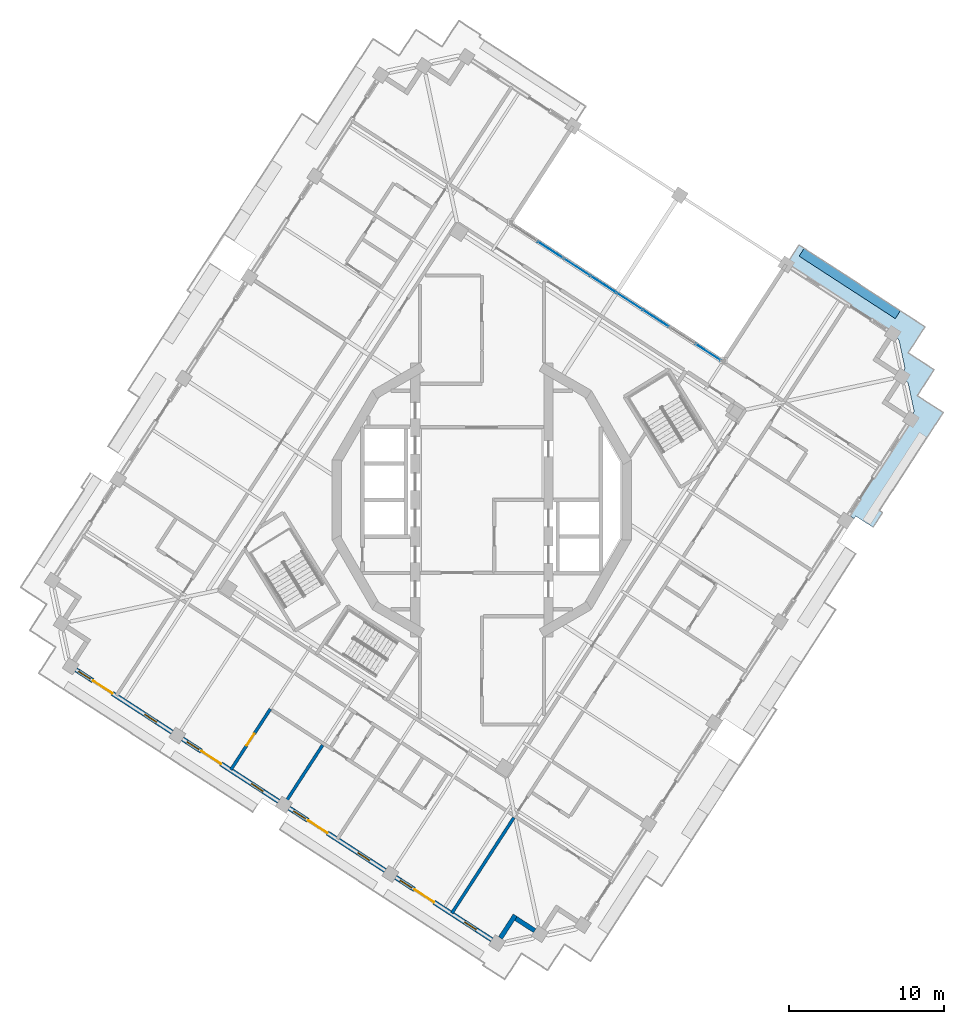
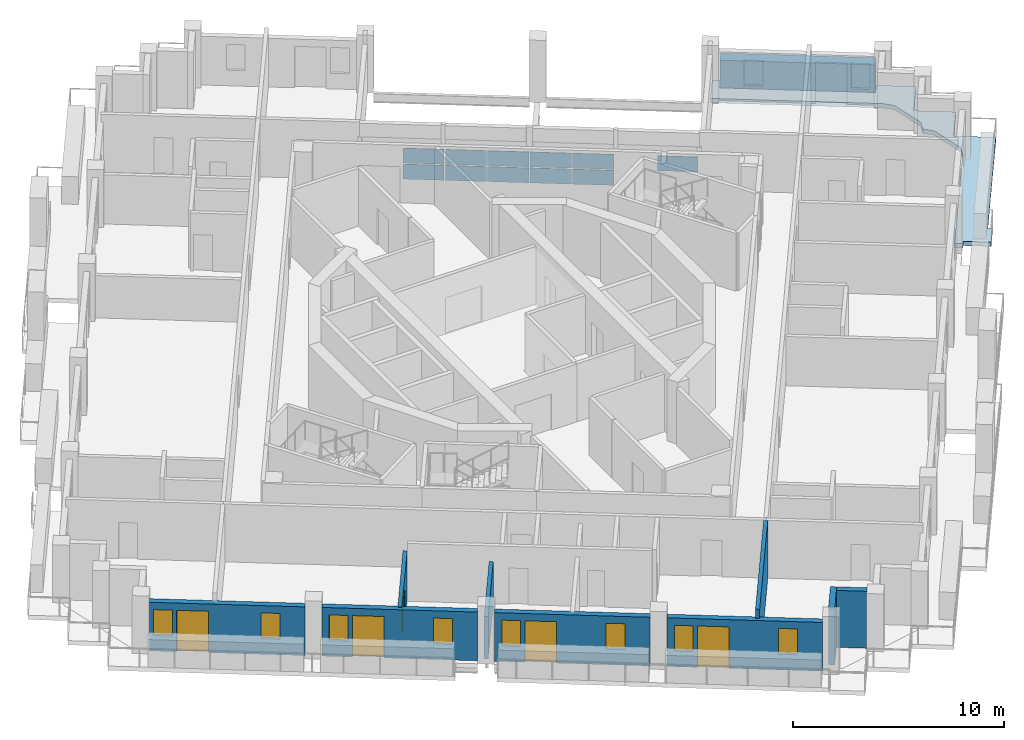
# One storey, part 5 of 17: 12 plates, 9 walls, 8 windows, 5 doors, 1 slab, 13 openings, 1 element without a shape of its own.
"""IFC4 building model written with IfcOpenShell, lengths in metres."""

from ifc_helpers import new_model, si_unit, direction, frame, frame_2d, origin, origin_2d, place, context, subcontext, project, spatial, polyline, rectangle, outline, extrude, material, layer, layer_set, type_object, element, fill, aggregate, save


model = new_model("IFC4")

# Units and contexts
model_context = context("Model", 3, precision=1e-05, world=origin(), true_north=direction((0.0, 1.0)))
body_context = subcontext(model_context, "Body", "Model", "MODEL_VIEW")
ifc_project = project(units=[si_unit("LENGTHUNIT", "METRE"), si_unit("AREAUNIT", "SQUARE_METRE"), si_unit("VOLUMEUNIT", "CUBIC_METRE"), si_unit("PLANEANGLEUNIT", "RADIAN"), si_unit("MASSUNIT", "GRAM", prefix="KILO")], contexts=[model_context])

# Site, building, storey
site_placement = place(None, origin())
site = spatial("IfcSite", under=ifc_project, at=site_placement, CompositionType="ELEMENT")
building_placement = place(site_placement, origin())
building = spatial("IfcBuilding", under=site, at=building_placement, Name="Cantera Rosa Tower", CompositionType="ELEMENT")
storey_placement = place(building_placement, frame((0.0, 0.0, 279.300048828125)))
storey = spatial("IfcBuildingStorey", under=building, at=storey_placement, Name="L63", CompositionType="ELEMENT", Elevation=279.300048828125)

# Curtain wall, plates
ifc_material_1 = material(Name="Aluminium frame with clear glass", Category="aluminium")
curtain_wall_type = type_object("IfcCurtainWallType", Name="CW1 TERRACE POCKET GLAZING", PredefinedType="NOTDEFINED", material=ifc_material_1)
curtain_wall_placement = place(storey_placement, origin())
curtain_wall = element("IfcCurtainWall", 1, at=curtain_wall_placement, inside=storey, type_object=curtain_wall_type, Name="CW1 CW1", PredefinedType="NOTDEFINED")
ifc_material_2 = material(Name="Aluminium frame with clear glass", Category="aluminium")
ifc_layer_1 = layer(ifc_material_2, 0.028076171875)
ifc_layer_set_1 = layer_set([ifc_layer_1], Name="CW-PANEL POCKET")
plate_type_1 = type_object("IfcPlateType", Name="CW-PANEL POCKET", PredefinedType="CURTAIN_PANEL", material=ifc_layer_set_1)
plate_1_placement = place(storey_placement, frame((14.60009765625, 9.536865234375, 0.98583984375), z_axis=(0.0, 0.0, 1.0), x_axis=(-0.838670567974, 0.544639034971, 0.0)))
plate_1 = element("IfcPlate", 2, at=plate_1_placement, type_object=plate_type_1, Name="CW1 panel 1.2", PredefinedType="CURTAIN_PANEL", context=body_context, shape_type="SweptSolid", body=[
    extrude(rectangle(XDim=1.9287109375, YDim=0.028076171875, at=origin_2d()), origin(), (0.0, 0.0, 1.0), 0.865966796875),
])
plate_2_placement = place(storey_placement, frame((11.2265625, 11.7275390625, 0.06005859375), z_axis=(0.0, 0.0, 1.0), x_axis=(-0.838670567974, 0.544639034971, 0.0)))
plate_2 = element("IfcPlate", 3, at=plate_2_placement, type_object=plate_type_1, Name="CW1 panel 3.1", PredefinedType="CURTAIN_PANEL", context=body_context, shape_type="SweptSolid", body=[
    extrude(rectangle(XDim=1.958740234375, YDim=0.028076171875, at=origin_2d()), origin(), (0.0, 0.0, 1.0), 0.865966796875),
])
plate_3_placement = place(storey_placement, frame((11.2265625, 11.7275390625, 0.98583984375), z_axis=(0.0, 0.0, 1.0), x_axis=(-0.838670567974, 0.544639034971, 0.0)))
plate_3 = element("IfcPlate", 4, at=plate_3_placement, type_object=plate_type_1, Name="CW1 panel 3.2", PredefinedType="CURTAIN_PANEL", context=body_context, shape_type="SweptSolid", body=[
    extrude(rectangle(XDim=1.958740234375, YDim=0.028076171875, at=origin_2d()), origin(), (0.0, 0.0, 1.0), 0.865966796875),
])
plate_4_placement = place(storey_placement, frame((9.533447265625, 12.8271484375, 0.06005859375), z_axis=(0.0, 0.0, 1.0), x_axis=(-0.838670567974, 0.544639034971, 0.0)))
plate_4 = element("IfcPlate", 5, at=plate_4_placement, type_object=plate_type_1, Name="CW1 panel 4.1", PredefinedType="CURTAIN_PANEL", context=body_context, shape_type="SweptSolid", body=[
    extrude(rectangle(XDim=1.958740234375, YDim=0.028076171875, at=origin_2d()), origin(), (0.0, 0.0, 1.0), 0.865966796875),
])
plate_5_placement = place(storey_placement, frame((9.533447265625, 12.8271484375, 0.98583984375), z_axis=(0.0, 0.0, 1.0), x_axis=(-0.838670567974, 0.544639034971, 0.0)))
plate_5 = element("IfcPlate", 6, at=plate_5_placement, type_object=plate_type_1, Name="CW1 panel 4.2", PredefinedType="CURTAIN_PANEL", context=body_context, shape_type="SweptSolid", body=[
    extrude(rectangle(XDim=1.958740234375, YDim=0.028076171875, at=origin_2d()), origin(), (0.0, 0.0, 1.0), 0.865966796875),
])
plate_6_placement = place(storey_placement, frame((7.840576171875, 13.926513671875, 0.06005859375), z_axis=(0.0, 0.0, 1.0), x_axis=(-0.838670567974, 0.544639034971, 0.0)))
plate_6 = element("IfcPlate", 7, at=plate_6_placement, type_object=plate_type_1, Name="CW1 panel 5.1", PredefinedType="CURTAIN_PANEL", context=body_context, shape_type="SweptSolid", body=[
    extrude(rectangle(XDim=1.958740234375, YDim=0.028076171875, at=origin_2d()), origin(), (0.0, 0.0, 1.0), 0.865966796875),
])
plate_7_placement = place(storey_placement, frame((7.840576171875, 13.926513671875, 0.98583984375), z_axis=(0.0, 0.0, 1.0), x_axis=(-0.838670567974, 0.544639034971, 0.0)))
plate_7 = element("IfcPlate", 8, at=plate_7_placement, type_object=plate_type_1, Name="CW1 panel 5.2", PredefinedType="CURTAIN_PANEL", context=body_context, shape_type="SweptSolid", body=[
    extrude(rectangle(XDim=1.958740234375, YDim=0.028076171875, at=origin_2d()), origin(), (0.0, 0.0, 1.0), 0.865966796875),
])
plate_8_placement = place(storey_placement, frame((6.1474609375, 15.026123046875, 0.06005859375), z_axis=(0.0, 0.0, 1.0), x_axis=(-0.838670567974, 0.544639034971, 0.0)))
plate_8 = element("IfcPlate", 9, at=plate_8_placement, type_object=plate_type_1, Name="CW1 panel 6.1", PredefinedType="CURTAIN_PANEL", context=body_context, shape_type="SweptSolid", body=[
    extrude(rectangle(XDim=1.958740234375, YDim=0.028076171875, at=origin_2d()), origin(), (0.0, 0.0, 1.0), 0.865966796875),
])
plate_9_placement = place(storey_placement, frame((6.1474609375, 15.026123046875, 0.98583984375), z_axis=(0.0, 0.0, 1.0), x_axis=(-0.838670567974, 0.544639034971, 0.0)))
plate_9 = element("IfcPlate", 10, at=plate_9_placement, type_object=plate_type_1, Name="CW1 panel 6.2", PredefinedType="CURTAIN_PANEL", context=body_context, shape_type="SweptSolid", body=[
    extrude(rectangle(XDim=1.958740234375, YDim=0.028076171875, at=origin_2d()), origin(), (0.0, 0.0, 1.0), 0.865966796875),
])
plate_10_placement = place(storey_placement, frame((4.454345703125, 16.12548828125, 0.06005859375), z_axis=(0.0, 0.0, 1.0), x_axis=(-0.838670567974, 0.544639034971, 0.0)))
plate_10 = element("IfcPlate", 11, at=plate_10_placement, type_object=plate_type_1, Name="CW1 panel 7.1", PredefinedType="CURTAIN_PANEL", context=body_context, shape_type="SweptSolid", body=[
    extrude(rectangle(XDim=1.958740234375, YDim=0.028076171875, at=origin_2d()), origin(), (0.0, 0.0, 1.0), 0.865966796875),
])
plate_11_placement = place(storey_placement, frame((4.454345703125, 16.12548828125, 0.98583984375), z_axis=(0.0, 0.0, 1.0), x_axis=(-0.838670567974, 0.544639034971, 0.0)))
plate_11 = element("IfcPlate", 12, at=plate_11_placement, type_object=plate_type_1, Name="CW1 panel 7.2", PredefinedType="CURTAIN_PANEL", context=body_context, shape_type="SweptSolid", body=[
    extrude(rectangle(XDim=1.958740234375, YDim=0.028076171875, at=origin_2d()), origin(), (0.0, 0.0, 1.0), 0.865966796875),
])
aggregate(curtain_wall, [plate_1, plate_2, plate_3, plate_4, plate_5, plate_6, plate_7, plate_8, plate_9, plate_10, plate_11])

# Slab
ifc_material_3 = material(Name="Concrete C35/45", Category="concrete")
ifc_layer_2 = layer(ifc_material_3, 0.25)
ifc_layer_set_2 = layer_set([ifc_layer_2], Name="LOGGIA SLAB 250 C35/45")
slab_type = type_object("IfcSlabType", Name="LOGGIA SLAB 250 C35/45", PredefinedType="FLOOR", material=ifc_layer_set_2)
slab_placement = place(storey_placement, frame((0.0, 0.0, -0.25)))
element("IfcSlab", 13, at=slab_placement, inside=storey, type_object=slab_type, Name="LOGGIA SLAB L63 4", PredefinedType="FLOOR", context=body_context, shape_type="SweptSolid", body=[
    extrude(outline(polyline([(27.343017578125, 11.992919921875), (28.600830078125, 11.17578125), (27.783935546875, 9.917724609375), (27.51171875, 9.49853515625), (27.930908203125, 9.22607421875), (29.18896484375, 8.4091796875), (28.3720703125, 7.151123046875), (28.099609375, 6.731689453125), (28.51904296875, 6.45947265625), (29.777099609375, 5.642578125), (28.960205078125, 4.384521484375), (25.66650390625, -0.68701171875), (25.86181640625, -0.813720703125), (25.244873046875, -1.763916015625), (24.127197265625, -1.0380859375), (24.01806640625, -1.205810546875), (23.6826171875, -0.98779296875), (27.13330078125, 4.32568359375), (27.7021484375, 5.201416015625), (27.863037109375, 5.643798828125), (27.872802734375, 5.67138671875), (27.87939453125, 5.7001953125), (27.88330078125, 5.729248046875), (27.884521484375, 5.7587890625), (27.882568359375, 5.7880859375), (27.8779296875, 5.817138671875), (27.525146484375, 7.477294921875), (27.517578125, 7.505615234375), (27.50732421875, 7.533203125), (27.494384765625, 7.559814453125), (27.47900390625, 7.584716796875), (27.461181640625, 7.608154296875), (27.44091796875, 7.629638671875), (27.114013671875, 7.968017578125), (27.275146484375, 8.410400390625), (27.28466796875, 8.43798828125), (27.29150390625, 8.466796875), (27.29541015625, 8.49609375), (27.29638671875, 8.525390625), (27.294677734375, 8.5546875), (27.289794921875, 8.583740234375), (26.93701171875, 10.243896484375), (26.929443359375, 10.272216796875), (26.919189453125, 10.2998046875), (26.90625, 10.326416015625), (26.890869140625, 10.351318359375), (26.873046875, 10.374755859375), (26.852783203125, 10.396240234375), (26.52587890625, 10.734619140625), (25.650146484375, 11.303466796875), (19.64892578125, 15.20068359375), (20.4658203125, 16.458740234375), (21.723876953125, 15.641845703125), (27.343017578125, 11.992919921875)])), origin(), (0.0, 0.0, 1.0), 0.25),
])

# Plate
ifc_material_4 = material(Name="Cantera stone planter with soil", Category="masonry")
plate_type_2 = type_object("IfcPlateType", Name="PLANTER 600", PredefinedType="USERDEFINED", material=ifc_material_4)
plate_12_placement = place(storey_placement, frame((23.740966796875, 13.97412109375, 0.0), z_axis=(0.0, 0.0, 1.0), x_axis=(-0.838670567945, 0.544639035015, 0.0)))
element("IfcPlate", 14, at=plate_12_placement, inside=storey, type_object=plate_type_2, Name="PLANTER L63-01", ObjectType="PLANTER", PredefinedType="USERDEFINED", context=body_context, shape_type="SweptSolid", body=[
    extrude(rectangle(XDim=7.39990234375, YDim=0.60009765625, at=origin_2d()), origin(), (0.0, 0.0, 1.0), 1.60009765625),
])

# Walls
ifc_material_5 = material(Name="Hollow clay masonry with cantera stone cladding", Category="masonry")
ifc_layer_3 = layer(ifc_material_5, 0.300048828125)
ifc_layer_set_3 = layer_set([ifc_layer_3], Name="EW-LOGGIA 300")
wall_type_1 = type_object("IfcWallType", Name="EW-LOGGIA 300", PredefinedType="SOLIDWALL", material=ifc_layer_set_3)
wall_1_placement = place(storey_placement, frame((1.2001953125, -28.263427734375, 0.0), z_axis=(0.0, 0.0, 1.0), x_axis=(0.54461563776, 0.838685761837, 0.0)))
element("IfcWall", 15, at=wall_1_placement, inside=storey, type_object=wall_type_1, Name="EN-L63-W18a", PredefinedType="SOLIDWALL", context=body_context, shape_type="SweptSolid", body=[
    extrude(rectangle(XDim=1.75, YDim=0.300048828125, at=frame_2d((0.875, 0.0))), origin(), (0.0, 0.0, 1.0), 3.300048828125),
])
wall_2_placement = place(storey_placement, frame((2.197509765625, -27.003173828125, 0.0), z_axis=(0.0, 0.0, 1.0), x_axis=(0.838647435384, -0.54467465438, 0.0)))
element("IfcWall", 16, at=wall_2_placement, inside=storey, type_object=wall_type_1, Name="EN-L63-W18b", PredefinedType="SOLIDWALL", context=body_context, shape_type="SweptSolid", body=[
    extrude(rectangle(XDim=1.449951171875, YDim=0.300048828125, at=frame_2d((0.72509765625, 0.0))), origin(), (0.0, 0.0, 1.0), 3.300048828125),
])

# Wall, openings, windows, door
ifc_material_6 = material(Name="Hollow clay masonry with cantera stone cladding", Category="masonry")
ifc_layer_4 = layer(ifc_material_6, 0.300048828125)
ifc_layer_set_4 = layer_set([ifc_layer_4], Name="EW-LOGGIA 300 H2820")
wall_type_2 = type_object("IfcWallType", Name="EW-LOGGIA 300 H2820", PredefinedType="SOLIDWALL", material=ifc_layer_set_4)
wall_3_placement = place(storey_placement, frame((-26.1904296875, -10.95263671875, 0.0), z_axis=(0.0, 0.0, 1.0), x_axis=(0.838669679097, -0.544640403719, 0.0)))
wall_3 = element("IfcWall", 17, at=wall_3_placement, inside=storey, type_object=wall_type_2, Name="EN-L63-W14", PredefinedType="SOLIDWALL", context=body_context, shape_type="SweptSolid", body=[
    extrude(rectangle(XDim=7.39990234375, YDim=0.300048828125, at=frame_2d((3.699951171875, 0.0))), origin(), (0.0, 0.0, 1.0), 2.820068359375),
])
opening_1_placement = place(wall_3_placement, frame((0.199951171875, 0.0, 0.89990234375)))
opening_1 = element("IfcOpeningElement", 18, at=opening_1_placement, cuts=wall_3, Name="Opening L63-W22", PredefinedType="OPENING", context=body_context, shape_type="SweptSolid", body=[
    extrude(rectangle(XDim=0.89990234375, YDim=1.5, at=frame_2d((0.449951171875, 0.75))), frame((0.0, 0.159912109375, 0.0), z_axis=(0.0, -1.0, 0.0), x_axis=(1.0, 0.0, 0.0)), (0.0, 0.0, 1.0), 0.320068359375),
])
opening_2_placement = place(wall_3_placement, frame((1.300048828125, 0.0, 0.0)))
opening_2 = element("IfcOpeningElement", 19, at=opening_2_placement, cuts=wall_3, Name="Opening L63-TD23", PredefinedType="OPENING", context=body_context, shape_type="SweptSolid", body=[
    extrude(rectangle(XDim=1.5, YDim=2.39990234375, at=frame_2d((0.75, 1.199951171875))), frame((0.0, 0.159912109375, 0.0), z_axis=(0.0, -1.0, 0.0), x_axis=(1.0, 0.0, 0.0)), (0.0, 0.0, 1.0), 0.320068359375),
])
opening_3_placement = place(wall_3_placement, frame((5.300048828125, 0.0, 0.89990234375)))
opening_3 = element("IfcOpeningElement", 20, at=opening_3_placement, cuts=wall_3, Name="Opening L63-W24", PredefinedType="OPENING", context=body_context, shape_type="SweptSolid", body=[
    extrude(rectangle(XDim=0.89990234375, YDim=1.5, at=frame_2d((0.449951171875, 0.75))), frame((0.0, 0.159912109375, 0.0), z_axis=(0.0, -1.0, 0.0), x_axis=(1.0, 0.0, 0.0)), (0.0, 0.0, 1.0), 0.320068359375),
])
ifc_material_7 = material(Name="Aluminium frame with clear glass", Category="aluminium")
window_type = type_object("IfcWindowType", Name="Residential window 900x1500", PartitioningType="SINGLE_PANEL", PredefinedType="WINDOW", material=ifc_material_7)
window_1_placement = place(opening_1_placement, origin())
window_1 = element("IfcWindow", 21, at=window_1_placement, inside=storey, type_object=window_type, Name="WINDOW L63-W22", OverallHeight=1.5, OverallWidth=0.89990234375, PartitioningType="SINGLE_PANEL", PredefinedType="WINDOW", context=body_context, shape_type="SweptSolid", body=[
    extrude(rectangle(XDim=0.89990234375, YDim=1.5, at=frame_2d((0.449951171875, 0.75))), frame((0.0, 0.030029296875, 0.0), z_axis=(0.0, -1.0, 0.0), x_axis=(1.0, 0.0, 0.0)), (0.0, 0.0, 1.0), 0.06005859375),
])
fill(opening_1, window_1)
window_2_placement = place(opening_3_placement, origin())
window_2 = element("IfcWindow", 22, at=window_2_placement, inside=storey, type_object=window_type, Name="WINDOW L63-W24", OverallHeight=1.5, OverallWidth=0.89990234375, PartitioningType="SINGLE_PANEL", PredefinedType="WINDOW", context=body_context, shape_type="SweptSolid", body=[
    extrude(rectangle(XDim=0.89990234375, YDim=1.5, at=frame_2d((0.449951171875, 0.75))), frame((0.0, 0.030029296875, 0.0), z_axis=(0.0, -1.0, 0.0), x_axis=(1.0, 0.0, 0.0)), (0.0, 0.0, 1.0), 0.06005859375),
])
fill(opening_3, window_2)
ifc_material_8 = material(Name="Aluminium frame with clear glass", Category="aluminium")
door_type_1 = type_object("IfcDoorType", Name="TD-R 1500x2400", OperationType="NOTDEFINED", PredefinedType="DOOR", material=ifc_material_8)
door_1_placement = place(opening_2_placement, origin())
door_1 = element("IfcDoor", 23, at=door_1_placement, inside=storey, type_object=door_type_1, Name="LOGGIA DOOR L63-TD23", OperationType="SLIDING_TO_LEFT", OverallHeight=2.39990234375, OverallWidth=1.5, PredefinedType="DOOR", context=body_context, shape_type="SweptSolid", body=[
    extrude(rectangle(XDim=1.5, YDim=2.39990234375, at=frame_2d((0.75, 1.199951171875))), frame((0.0, 0.02490234375, 0.0), z_axis=(0.0, -1.0, 0.0), x_axis=(1.0, 0.0, 0.0)), (0.0, 0.0, 1.0), 0.050048828125),
])
fill(opening_2, door_1)

wall_4_placement = place(storey_placement, frame((-19.3134765625, -15.418701171875, 0.0), z_axis=(0.0, 0.0, 1.0), x_axis=(0.838679465365, -0.544625333946, 0.0)))
wall_4 = element("IfcWall", 24, at=wall_4_placement, inside=storey, type_object=wall_type_2, Name="EN-L63-W15", PredefinedType="SOLIDWALL", context=body_context, shape_type="SweptSolid", body=[
    extrude(rectangle(XDim=7.400146484375, YDim=0.300048828125, at=frame_2d((3.7001953125, 0.0))), origin(), (0.0, 0.0, 1.0), 2.820068359375),
])
opening_4_placement = place(wall_4_placement, frame((0.35009765625, 0.0, 0.89990234375)))
opening_4 = element("IfcOpeningElement", 25, at=opening_4_placement, cuts=wall_4, Name="Opening L63-W25", PredefinedType="OPENING", context=body_context, shape_type="SweptSolid", body=[
    extrude(rectangle(XDim=0.89990234375, YDim=1.5, at=frame_2d((0.449951171875, 0.75))), frame((0.0, 0.159912109375, 0.0), z_axis=(0.0, -1.0, 0.0), x_axis=(1.0, 0.0, 0.0)), (0.0, 0.0, 1.0), 0.320068359375),
])
opening_5_placement = place(wall_4_placement, frame((1.449951171875, 0.0, 0.0)))
opening_5 = element("IfcOpeningElement", 26, at=opening_5_placement, cuts=wall_4, Name="Opening L63-TD26", PredefinedType="OPENING", context=body_context, shape_type="SweptSolid", body=[
    extrude(rectangle(XDim=1.5, YDim=2.39990234375, at=frame_2d((0.75, 1.199951171875))), frame((0.0, 0.159912109375, 0.0), z_axis=(0.0, -1.0, 0.0), x_axis=(1.0, 0.0, 0.0)), (0.0, 0.0, 1.0), 0.320068359375),
])
opening_6_placement = place(wall_4_placement, frame((5.300048828125, 0.0, 0.89990234375)))
opening_6 = element("IfcOpeningElement", 27, at=opening_6_placement, cuts=wall_4, Name="Opening L63-W27", PredefinedType="OPENING", context=body_context, shape_type="SweptSolid", body=[
    extrude(rectangle(XDim=0.89990234375, YDim=1.5, at=frame_2d((0.449951171875, 0.75))), frame((0.0, 0.159912109375, 0.0), z_axis=(0.0, -1.0, 0.0), x_axis=(1.0, 0.0, 0.0)), (0.0, 0.0, 1.0), 0.320068359375),
])
window_3_placement = place(opening_4_placement, origin())
window_3 = element("IfcWindow", 28, at=window_3_placement, inside=storey, type_object=window_type, Name="WINDOW L63-W25", OverallHeight=1.5, OverallWidth=0.89990234375, PartitioningType="SINGLE_PANEL", PredefinedType="WINDOW", context=body_context, shape_type="SweptSolid", body=[
    extrude(rectangle(XDim=0.89990234375, YDim=1.5, at=frame_2d((0.449951171875, 0.75))), frame((0.0, 0.030029296875, 0.0), z_axis=(0.0, -1.0, 0.0), x_axis=(1.0, 0.0, 0.0)), (0.0, 0.0, 1.0), 0.06005859375),
])
fill(opening_4, window_3)
window_4_placement = place(opening_6_placement, origin())
window_4 = element("IfcWindow", 29, at=window_4_placement, inside=storey, type_object=window_type, Name="WINDOW L63-W27", OverallHeight=1.5, OverallWidth=0.89990234375, PartitioningType="SINGLE_PANEL", PredefinedType="WINDOW", context=body_context, shape_type="SweptSolid", body=[
    extrude(rectangle(XDim=0.89990234375, YDim=1.5, at=frame_2d((0.449951171875, 0.75))), frame((0.0, 0.030029296875, 0.0), z_axis=(0.0, -1.0, 0.0), x_axis=(1.0, 0.0, 0.0)), (0.0, 0.0, 1.0), 0.06005859375),
])
fill(opening_6, window_4)
door_2_placement = place(opening_5_placement, origin())
door_2 = element("IfcDoor", 30, at=door_2_placement, inside=storey, type_object=door_type_1, Name="LOGGIA DOOR L63-TD26", OperationType="SLIDING_TO_LEFT", OverallHeight=2.39990234375, OverallWidth=1.5, PredefinedType="DOOR", context=body_context, shape_type="SweptSolid", body=[
    extrude(rectangle(XDim=1.5, YDim=2.39990234375, at=frame_2d((0.75, 1.199951171875))), frame((0.0, 0.02490234375, 0.0), z_axis=(0.0, -1.0, 0.0), x_axis=(1.0, 0.0, 0.0)), (0.0, 0.0, 1.0), 0.050048828125),
])
fill(opening_5, door_2)

wall_5_placement = place(storey_placement, frame((-12.436279296875, -19.884765625, 0.0), z_axis=(0.0, 0.0, 1.0), x_axis=(0.838669679097, -0.544640403719, 0.0)))
wall_5 = element("IfcWall", 31, at=wall_5_placement, inside=storey, type_object=wall_type_2, Name="EN-L63-W16", PredefinedType="SOLIDWALL", context=body_context, shape_type="SweptSolid", body=[
    extrude(rectangle(XDim=7.39990234375, YDim=0.300048828125, at=frame_2d((3.699951171875, 0.0))), origin(), (0.0, 0.0, 1.0), 2.820068359375),
])
opening_7_placement = place(wall_5_placement, frame((0.35009765625, 0.0, 0.89990234375)))
opening_7 = element("IfcOpeningElement", 32, at=opening_7_placement, cuts=wall_5, Name="Opening L63-W28", PredefinedType="OPENING", context=body_context, shape_type="SweptSolid", body=[
    extrude(rectangle(XDim=0.89990234375, YDim=1.5, at=frame_2d((0.449951171875, 0.75))), frame((0.0, 0.159912109375, 0.0), z_axis=(0.0, -1.0, 0.0), x_axis=(1.0, 0.0, 0.0)), (0.0, 0.0, 1.0), 0.320068359375),
])
opening_8_placement = place(wall_5_placement, frame((1.449951171875, 0.0, 0.0)))
opening_8 = element("IfcOpeningElement", 33, at=opening_8_placement, cuts=wall_5, Name="Opening L63-TD29", PredefinedType="OPENING", context=body_context, shape_type="SweptSolid", body=[
    extrude(rectangle(XDim=1.5, YDim=2.39990234375, at=frame_2d((0.75, 1.199951171875))), frame((0.0, 0.159912109375, 0.0), z_axis=(0.0, -1.0, 0.0), x_axis=(1.0, 0.0, 0.0)), (0.0, 0.0, 1.0), 0.320068359375),
])
opening_9_placement = place(wall_5_placement, frame((5.300048828125, 0.0, 0.89990234375)))
opening_9 = element("IfcOpeningElement", 34, at=opening_9_placement, cuts=wall_5, Name="Opening L63-W30", PredefinedType="OPENING", context=body_context, shape_type="SweptSolid", body=[
    extrude(rectangle(XDim=0.89990234375, YDim=1.5, at=frame_2d((0.449951171875, 0.75))), frame((0.0, 0.159912109375, 0.0), z_axis=(0.0, -1.0, 0.0), x_axis=(1.0, 0.0, 0.0)), (0.0, 0.0, 1.0), 0.320068359375),
])
window_5_placement = place(opening_7_placement, origin())
window_5 = element("IfcWindow", 35, at=window_5_placement, inside=storey, type_object=window_type, Name="WINDOW L63-W28", OverallHeight=1.5, OverallWidth=0.89990234375, PartitioningType="SINGLE_PANEL", PredefinedType="WINDOW", context=body_context, shape_type="SweptSolid", body=[
    extrude(rectangle(XDim=0.89990234375, YDim=1.5, at=frame_2d((0.449951171875, 0.75))), frame((0.0, 0.030029296875, 0.0), z_axis=(0.0, -1.0, 0.0), x_axis=(1.0, 0.0, 0.0)), (0.0, 0.0, 1.0), 0.06005859375),
])
fill(opening_7, window_5)
window_6_placement = place(opening_9_placement, origin())
window_6 = element("IfcWindow", 36, at=window_6_placement, inside=storey, type_object=window_type, Name="WINDOW L63-W30", OverallHeight=1.5, OverallWidth=0.89990234375, PartitioningType="SINGLE_PANEL", PredefinedType="WINDOW", context=body_context, shape_type="SweptSolid", body=[
    extrude(rectangle(XDim=0.89990234375, YDim=1.5, at=frame_2d((0.449951171875, 0.75))), frame((0.0, 0.030029296875, 0.0), z_axis=(0.0, -1.0, 0.0), x_axis=(1.0, 0.0, 0.0)), (0.0, 0.0, 1.0), 0.06005859375),
])
fill(opening_9, window_6)
door_3_placement = place(opening_8_placement, origin())
door_3 = element("IfcDoor", 37, at=door_3_placement, inside=storey, type_object=door_type_1, Name="LOGGIA DOOR L63-TD29", OperationType="SLIDING_TO_LEFT", OverallHeight=2.39990234375, OverallWidth=1.5, PredefinedType="DOOR", context=body_context, shape_type="SweptSolid", body=[
    extrude(rectangle(XDim=1.5, YDim=2.39990234375, at=frame_2d((0.75, 1.199951171875))), frame((0.0, 0.02490234375, 0.0), z_axis=(0.0, -1.0, 0.0), x_axis=(1.0, 0.0, 0.0)), (0.0, 0.0, 1.0), 0.050048828125),
])
fill(opening_8, door_3)

wall_6_placement = place(storey_placement, frame((-5.559326171875, -24.350830078125, 0.0), z_axis=(0.0, 0.0, 1.0), x_axis=(0.838679465365, -0.544625333946, 0.0)))
wall_6 = element("IfcWall", 38, at=wall_6_placement, inside=storey, type_object=wall_type_2, Name="EN-L63-W17", PredefinedType="SOLIDWALL", context=body_context, shape_type="SweptSolid", body=[
    extrude(rectangle(XDim=7.400146484375, YDim=0.300048828125, at=frame_2d((3.7001953125, 0.0))), origin(), (0.0, 0.0, 1.0), 2.820068359375),
])
opening_10_placement = place(wall_6_placement, frame((0.35009765625, 0.0, 0.89990234375)))
opening_10 = element("IfcOpeningElement", 39, at=opening_10_placement, cuts=wall_6, Name="Opening L63-W31", PredefinedType="OPENING", context=body_context, shape_type="SweptSolid", body=[
    extrude(rectangle(XDim=0.89990234375, YDim=1.5, at=frame_2d((0.449951171875, 0.75))), frame((0.0, 0.159912109375, 0.0), z_axis=(0.0, -1.0, 0.0), x_axis=(1.0, 0.0, 0.0)), (0.0, 0.0, 1.0), 0.320068359375),
])
opening_11_placement = place(wall_6_placement, frame((1.449951171875, 0.0, 0.0)))
opening_11 = element("IfcOpeningElement", 40, at=opening_11_placement, cuts=wall_6, Name="Opening L63-TD32", PredefinedType="OPENING", context=body_context, shape_type="SweptSolid", body=[
    extrude(rectangle(XDim=1.5, YDim=2.39990234375, at=frame_2d((0.75, 1.199951171875))), frame((0.0, 0.159912109375, 0.0), z_axis=(0.0, -1.0, 0.0), x_axis=(1.0, 0.0, 0.0)), (0.0, 0.0, 1.0), 0.320068359375),
])
opening_12_placement = place(wall_6_placement, frame((5.300048828125, 0.0, 0.89990234375)))
opening_12 = element("IfcOpeningElement", 41, at=opening_12_placement, cuts=wall_6, Name="Opening L63-W33", PredefinedType="OPENING", context=body_context, shape_type="SweptSolid", body=[
    extrude(rectangle(XDim=0.89990234375, YDim=1.5, at=frame_2d((0.449951171875, 0.75))), frame((0.0, 0.159912109375, 0.0), z_axis=(0.0, -1.0, 0.0), x_axis=(1.0, 0.0, 0.0)), (0.0, 0.0, 1.0), 0.320068359375),
])
window_7_placement = place(opening_10_placement, origin())
window_7 = element("IfcWindow", 42, at=window_7_placement, inside=storey, type_object=window_type, Name="WINDOW L63-W31", OverallHeight=1.5, OverallWidth=0.89990234375, PartitioningType="SINGLE_PANEL", PredefinedType="WINDOW", context=body_context, shape_type="SweptSolid", body=[
    extrude(rectangle(XDim=0.89990234375, YDim=1.5, at=frame_2d((0.449951171875, 0.75))), frame((0.0, 0.030029296875, 0.0), z_axis=(0.0, -1.0, 0.0), x_axis=(1.0, 0.0, 0.0)), (0.0, 0.0, 1.0), 0.06005859375),
])
fill(opening_10, window_7)
window_8_placement = place(opening_12_placement, origin())
window_8 = element("IfcWindow", 43, at=window_8_placement, inside=storey, type_object=window_type, Name="WINDOW L63-W33", OverallHeight=1.5, OverallWidth=0.89990234375, PartitioningType="SINGLE_PANEL", PredefinedType="WINDOW", context=body_context, shape_type="SweptSolid", body=[
    extrude(rectangle(XDim=0.89990234375, YDim=1.5, at=frame_2d((0.449951171875, 0.75))), frame((0.0, 0.030029296875, 0.0), z_axis=(0.0, -1.0, 0.0), x_axis=(1.0, 0.0, 0.0)), (0.0, 0.0, 1.0), 0.06005859375),
])
fill(opening_12, window_8)
door_4_placement = place(opening_11_placement, origin())
door_4 = element("IfcDoor", 44, at=door_4_placement, inside=storey, type_object=door_type_1, Name="LOGGIA DOOR L63-TD32", OperationType="SLIDING_TO_LEFT", OverallHeight=2.39990234375, OverallWidth=1.5, PredefinedType="DOOR", context=body_context, shape_type="SweptSolid", body=[
    extrude(rectangle(XDim=1.5, YDim=2.39990234375, at=frame_2d((0.75, 1.199951171875))), frame((0.0, 0.02490234375, 0.0), z_axis=(0.0, -1.0, 0.0), x_axis=(1.0, 0.0, 0.0)), (0.0, 0.0, 1.0), 0.050048828125),
])
fill(opening_11, door_4)

# Wall
ifc_material_9 = material(Name="Gypsum board partition")
ifc_layer_5 = layer(ifc_material_9, 0.199951171875)
ifc_layer_set_5 = layer_set([ifc_layer_5], Name="PARTITION 200 H2450")
wall_type_3 = type_object("IfcWallType", Name="PARTITION 200 H2450", PredefinedType="PARTITIONING", material=ifc_layer_set_5)
wall_7_placement = place(storey_placement, frame((-12.75537109375, -19.6416015625, 0.0), z_axis=(0.0, 0.0, 1.0), x_axis=(0.544629951314, 0.8386764669, 0.0)))
element("IfcWall", 45, at=wall_7_placement, inside=storey, type_object=wall_type_3, Name="PARTITION L63-013", PredefinedType="PARTITIONING", context=body_context, shape_type="SweptSolid", body=[
    extrude(rectangle(XDim=4.550048828125, YDim=0.199951171875, at=frame_2d((2.27490234375, 0.0))), origin(), (0.0, 0.0, 1.0), 2.449951171875),
])

# Wall, opening, door
ifc_material_10 = material(Name="Gypsum board partition")
ifc_layer_6 = layer(ifc_material_10, 0.199951171875)
ifc_layer_set_6 = layer_set([ifc_layer_6], Name="PARTITION 200 H2850")
wall_type_4 = type_object("IfcWallType", Name="PARTITION 200 H2850", PredefinedType="PARTITIONING", material=ifc_layer_set_6)
wall_8_placement = place(storey_placement, frame((-16.194091796875, -17.40869140625, 0.0), z_axis=(0.0, 0.0, 1.0), x_axis=(0.544683283636, 0.838641830895, 0.0)))
wall_8 = element("IfcWall", 46, at=wall_8_placement, inside=storey, type_object=wall_type_4, Name="PARTITION L63-008", PredefinedType="PARTITIONING", context=body_context, shape_type="SweptSolid", body=[
    extrude(rectangle(XDim=4.670166015625, YDim=0.199951171875, at=frame_2d((2.3349609375, 0.0))), origin(), (0.0, 0.0, 1.0), 2.849853515625),
])
opening_13_placement = place(wall_8_placement, frame((1.8701171875, 0.0, 0.0)))
opening_13 = element("IfcOpeningElement", 47, at=opening_13_placement, cuts=wall_8, Name="Opening L63-036", PredefinedType="OPENING", context=body_context, shape_type="SweptSolid", body=[
    extrude(rectangle(XDim=0.89990234375, YDim=2.10009765625, at=frame_2d((0.449951171875, 1.050048828125))), frame((0.0, 0.10986328125, 0.0), z_axis=(0.0, -1.0, 0.0), x_axis=(1.0, 0.0, 0.0)), (0.0, 0.0, 1.0), 0.219970703125),
])
ifc_material_11 = material(Name="Timber door leaf", Category="wood")
door_type_2 = type_object("IfcDoorType", Name="ROOM DOOR 900x2100", OperationType="NOTDEFINED", PredefinedType="DOOR", material=ifc_material_11)
door_5_placement = place(opening_13_placement, origin())
door_5 = element("IfcDoor", 48, at=door_5_placement, inside=storey, type_object=door_type_2, Name="DOOR L63-036", OperationType="NOTDEFINED", OverallHeight=2.10009765625, OverallWidth=0.89990234375, PredefinedType="DOOR", context=body_context, shape_type="SweptSolid", body=[
    extrude(rectangle(XDim=0.89990234375, YDim=2.10009765625, at=frame_2d((0.449951171875, 1.050048828125))), frame((0.0, 0.02490234375, 0.0), z_axis=(0.0, -1.0, 0.0), x_axis=(1.0, 0.0, 0.0)), (0.0, 0.0, 1.0), 0.050048828125),
])
fill(opening_13, door_5)

# Wall
ifc_material_12 = material(Name="Gypsum board partition")
ifc_layer_7 = layer(ifc_material_12, 0.199951171875)
ifc_layer_set_7 = layer_set([ifc_layer_7], Name="PARTY WALL 200 H3350")
wall_type_5 = type_object("IfcWallType", Name="PARTY WALL 200 H3350", PredefinedType="PARTITIONING", material=ifc_layer_set_7)
wall_9_placement = place(storey_placement, frame((-1.9365234375, -26.66748046875, 0.0), z_axis=(0.0, 0.0, 1.0), x_axis=(0.544633359557, 0.838674253604, 0.0)))
element("IfcWall", 49, at=wall_9_placement, inside=storey, type_object=wall_type_5, Name="PARTY WALL L63-052", PredefinedType="PARTITIONING", context=body_context, shape_type="SweptSolid", body=[
    extrude(rectangle(XDim=7.349853515625, YDim=0.199951171875, at=frame_2d((3.6748046875, 0.0))), origin(), (0.0, 0.0, 1.0), 3.349853515625),
])

save(model, "model.ifc")
